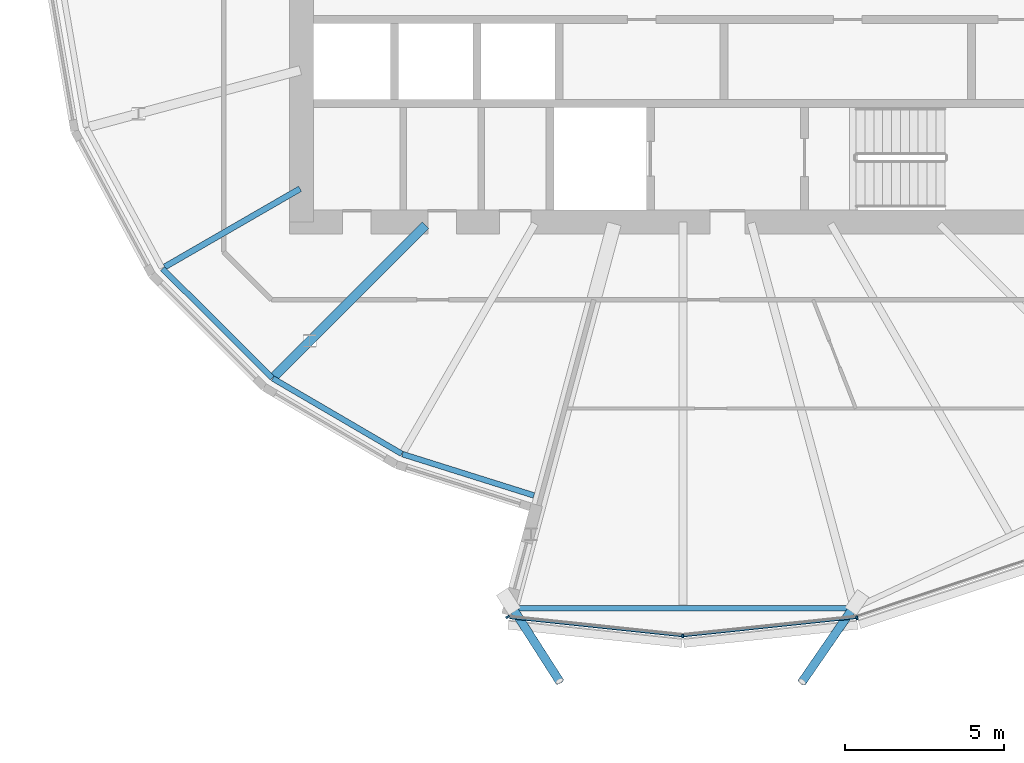
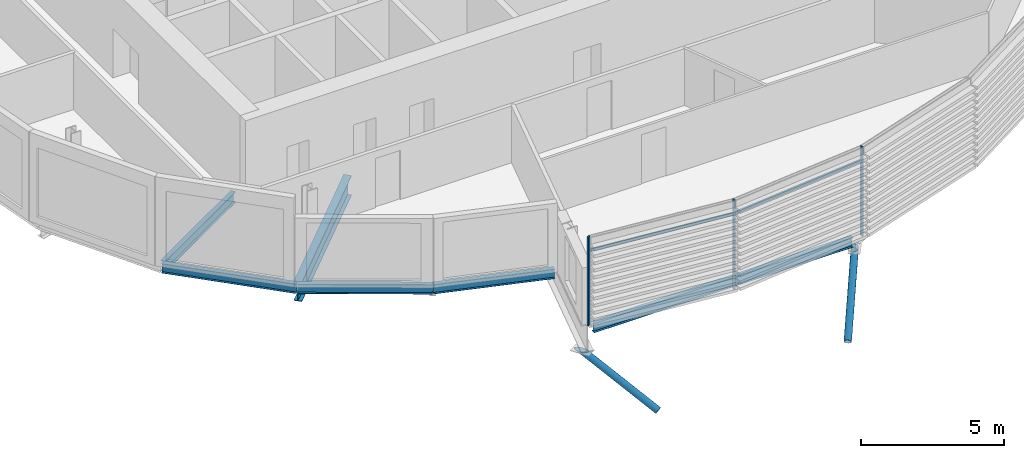
# One storey, part 3 of 39: 7 members, 6 beams, 1 element without a shape of its own.
"""IFC4 building model written with IfcOpenShell, lengths in metres."""

from ifc_helpers import new_model, si_unit, direction, frame, origin, origin_2d, place, context, subcontext, project, spatial, rectangle, hollow_circle, i_section, extrude, clip, halfspace, material, material_profile, profile_set, type_object, element, aggregate, save


model = new_model("IFC4")

# Units and contexts
model_context = context("Model", 3, precision=1e-05, world=origin(), true_north=direction((0.0, 1.0)))
body_context = subcontext(model_context, "Body", "Model", "MODEL_VIEW")
ifc_project = project(units=[si_unit("LENGTHUNIT", "METRE"), si_unit("AREAUNIT", "SQUARE_METRE"), si_unit("VOLUMEUNIT", "CUBIC_METRE"), si_unit("PLANEANGLEUNIT", "RADIAN"), si_unit("MASSUNIT", "GRAM", prefix="KILO")], contexts=[model_context])

# Site, building, storey
site_placement = place(None, origin())
site = spatial("IfcSite", under=ifc_project, at=site_placement, CompositionType="ELEMENT")
building_placement = place(site_placement, origin())
building = spatial("IfcBuilding", under=site, at=building_placement, Name="Rimbun Link Towers", CompositionType="ELEMENT")
storey_placement = place(building_placement, frame((0.0, 0.0, 100.60009765625)))
storey = spatial("IfcBuildingStorey", under=building, at=storey_placement, Name="L24", CompositionType="ELEMENT", Elevation=100.60009765625)

# Curtain wall, members
ifc_material_1 = material(Name="Aluminium 6063-T6 and low-iron glass", Category="aluminium")
curtain_wall_type = type_object("IfcCurtainWallType", Name="CW1-Z2 unitised vision wall (zone 2)", PredefinedType="NOTDEFINED", material=ifc_material_1)
curtain_wall_placement = place(storey_placement, origin())
curtain_wall = element("IfcCurtainWall", 1, at=curtain_wall_placement, inside=storey, type_object=curtain_wall_type, Name="CW1 L24 T1", PredefinedType="NOTDEFINED")
ifc_material_2 = material(Name="Aluminium 6063-T6", Category="aluminium")
ifc_material_profile_1 = material_profile(ifc_material_2, rectangle(XDim=0.1201171875, YDim=0.06005859375, at=origin_2d()), Name="MULLION 60X120")
ifc_profile_set_1 = profile_set([ifc_material_profile_1], Name="Aluminium 6063-T6")
member_type_1 = type_object("IfcMemberType", Name="CW1 mullion 60X120", PredefinedType="MULLION", material=ifc_profile_set_1)
member_1_placement = place(storey_placement, frame((-31.75, -21.037109375, 0.0), z_axis=(0.0, 0.0, 1.0), x_axis=(0.0, -1.0, 0.0)))
member_1 = element("IfcMember", 2, at=member_1_placement, type_object=member_type_1, Name="CW1 mullion", PredefinedType="MULLION", context=body_context, shape_type="SweptSolid", body=[
    extrude(rectangle(XDim=0.1201171875, YDim=0.06005859375, at=origin_2d()), origin(), (0.0, 0.0, 1.0), 3.7998046875),
])
member_2_placement = place(storey_placement, frame((-37.265869140625, -20.435302734375, 0.0), z_axis=(0.0, 0.0, 1.0), x_axis=(-0.824181973738, -0.566325060514, 0.0)))
member_2 = element("IfcMember", 3, at=member_2_placement, type_object=member_type_1, Name="CW1 mullion", PredefinedType="MULLION", context=body_context, shape_type="SweptSolid", body=[
    extrude(rectangle(XDim=0.1201171875, YDim=0.06005859375, at=origin_2d()), origin(), (0.0, 0.0, 1.0), 3.7998046875),
])
member_3_placement = place(storey_placement, frame((-26.270751953125, -20.4599609375, 0.0), z_axis=(0.0, 0.0, 1.0), x_axis=(0.210863294112, -0.97751556059, 0.0)))
member_3 = element("IfcMember", 4, at=member_3_placement, type_object=member_type_1, Name="CW1 mullion", PredefinedType="MULLION", context=body_context, shape_type="SweptSolid", body=[
    extrude(rectangle(XDim=0.1201171875, YDim=0.06005859375, at=origin_2d()), origin(), (0.0, 0.0, 1.0), 3.7998046875),
])
ifc_material_3 = material(Name="Aluminium 6063-T6", Category="aluminium")
ifc_material_profile_2 = material_profile(ifc_material_3, rectangle(XDim=0.06005859375, YDim=0.1201171875, at=origin_2d()), Name="TRANSOM 60X120")
ifc_profile_set_2 = profile_set([ifc_material_profile_2], Name="Aluminium 6063-T6")
member_type_2 = type_object("IfcMemberType", Name="CW1 transom 60X120", PredefinedType="USERDEFINED", material=ifc_profile_set_2)
member_4_placement = place(storey_placement, frame((-31.785888671875, -21.031494140625, 3.199951171875), z_axis=(-0.994501515201, 0.104722186104, 0.0), x_axis=(-0.104722186104, -0.994501515201, 0.0)))
member_4 = element("IfcMember", 5, at=member_4_placement, type_object=member_type_2, Name="CW1 transom", ObjectType="TRANSOM", PredefinedType="USERDEFINED", context=body_context, shape_type="SweptSolid", body=[
    extrude(rectangle(XDim=0.06005859375, YDim=0.1201171875, at=origin_2d()), origin(), (0.0, 0.0, 1.0), 5.4365234375),
])
member_5_placement = place(storey_placement, frame((-26.307373046875, -20.462158203125, 3.199951171875), z_axis=(-0.994501515201, -0.104722186104, 0.0), x_axis=(0.104722186104, -0.994501515201, 0.0)))
member_5 = element("IfcMember", 6, at=member_5_placement, type_object=member_type_2, Name="CW1 transom", ObjectType="TRANSOM", PredefinedType="USERDEFINED", context=body_context, shape_type="SweptSolid", body=[
    extrude(rectangle(XDim=0.06005859375, YDim=0.1201171875, at=origin_2d()), origin(), (0.0, 0.0, 1.0), 5.4365234375),
])
aggregate(curtain_wall, [member_1, member_2, member_3, member_4, member_5])

# Members
ifc_material_4 = material(Name="Steel S355J2H", Category="steel")
ifc_material_profile_3 = material_profile(ifc_material_4, hollow_circle(Radius=0.136474609375, WallThickness=0.012451171875, at=origin_2d()), Name="CHS 273x12.5")
ifc_profile_set_3 = profile_set([ifc_material_profile_3], Name="Steel S355J2H")
member_type_3 = type_object("IfcMemberType", Name="Floor edge link CHS 273x12.5", PredefinedType="BRACE", material=ifc_profile_set_3)
member_6_placement = place(storey_placement, frame((-37.13818359375, -20.1083984375, -1.48046875), z_axis=(0.475718063315, -0.742655592374, -0.471333210532), x_axis=(0.842055898223, 0.539390270832, 0.0)))
element("IfcMember", 7, at=member_6_placement, inside=storey, type_object=member_type_3, Name="Floor edge link T1 L24 17", PredefinedType="BRACE", context=body_context, shape_type="Clipping", body=[
    clip(extrude(hollow_circle(Radius=0.136474609375, WallThickness=0.012451171875, at=origin_2d()), frame((0.0, 0.0, -0.531982421875)), (0.0, 0.0, 1.0), 3.705810546875), halfspace(frame((0.0, 0.0, -0.251220703125), z_axis=(0.0, 0.881955216918, -0.471333210532)), False)),
])
member_7_placement = place(storey_placement, frame((-26.36181640625, -20.1083984375, -0.960693359375), z_axis=(-0.486492662099, -0.705479534708, -0.515386763346), x_axis=(0.823237298778, -0.56769741051, 0.0)))
element("IfcMember", 8, at=member_7_placement, inside=storey, type_object=member_type_3, Name="Floor edge link T1 L24 19", PredefinedType="BRACE", context=body_context, shape_type="Clipping", body=[
    clip(extrude(hollow_circle(Radius=0.136474609375, WallThickness=0.012451171875, at=origin_2d()), frame((0.0, 0.0, -0.473388671875)), (0.0, 0.0, 1.0), 3.8447265625), halfspace(frame((0.0, 0.0, -0.223388671875), z_axis=(0.0, 0.856957691002, -0.515386763346)), False)),
])

# Beams
ifc_material_5 = material(Name="Steel S355J2", Category="steel")
ifc_material_profile_4 = material_profile(ifc_material_5, i_section(OverallWidth=0.177978515625, OverallDepth=0.406494140625, WebThickness=0.0078125, FlangeThickness=0.0126953125, at=origin_2d()), Name="UB 406x178x60")
ifc_profile_set_4 = profile_set([ifc_material_profile_4], Name="Steel S355J2")
beam_type_1 = type_object("IfcBeamType", Name="UB 406x178x60", PredefinedType="BEAM", material=ifc_profile_set_4)
beam_1_placement = place(storey_placement, frame((-48.127197265625, -9.470947265625, -0.36328125), z_axis=(0.708083429318, -0.706128782252, 0.0), x_axis=(0.706128782252, 0.708083429318, 0.0)))
element("IfcBeam", 9, at=beam_1_placement, inside=storey, type_object=beam_type_1, Name="Edge beam T1 L24 14 recess", PredefinedType="BEAM", context=body_context, shape_type="SweptSolid", body=[
    extrude(i_section(OverallWidth=0.177978515625, OverallDepth=0.406494140625, WebThickness=0.0078125, FlangeThickness=0.0126953125, at=origin_2d()), origin(), (0.0, 0.0, 1.0), 4.87109375),
])
beam_2_placement = place(storey_placement, frame((-44.65869140625, -12.925537109375, -0.36328125), z_axis=(0.86328357822, -0.504719192795, 0.0), x_axis=(0.504719192795, 0.86328357822, 0.0)))
element("IfcBeam", 10, at=beam_2_placement, inside=storey, type_object=beam_type_1, Name="Edge beam T1 L24 15 recess", PredefinedType="BEAM", context=body_context, shape_type="SweptSolid", body=[
    extrude(i_section(OverallWidth=0.177978515625, OverallDepth=0.406494140625, WebThickness=0.0078125, FlangeThickness=0.0126953125, at=origin_2d()), origin(), (0.0, 0.0, 1.0), 4.70556640625),
])
beam_3_placement = place(storey_placement, frame((-40.576416015625, -15.309326171875, -0.36328125), z_axis=(0.953953688529, -0.299953930031, 0.0), x_axis=(0.299953930031, 0.953953688529, 0.0)))
element("IfcBeam", 11, at=beam_3_placement, inside=storey, type_object=beam_type_1, Name="Edge beam T1 L24 16 recess", PredefinedType="BEAM", context=body_context, shape_type="SweptSolid", body=[
    extrude(i_section(OverallWidth=0.177978515625, OverallDepth=0.406494140625, WebThickness=0.0078125, FlangeThickness=0.0126953125, at=origin_2d()), origin(), (0.0, 0.0, 1.0), 4.33740234375),
])
beam_4_placement = place(storey_placement, frame((-36.9169921875, -20.15673828125, -0.36328125), z_axis=(1.0, 0.0, 0.0), x_axis=(0.0, 1.0, 0.0)))
element("IfcBeam", 12, at=beam_4_placement, inside=storey, type_object=beam_type_1, Name="Edge beam T1 L24 17-19", PredefinedType="BEAM", context=body_context, shape_type="SweptSolid", body=[
    extrude(i_section(OverallWidth=0.177978515625, OverallDepth=0.406494140625, WebThickness=0.0078125, FlangeThickness=0.0126953125, at=origin_2d()), origin(), (0.0, 0.0, 1.0), 10.435791015625),
])
ifc_material_6 = material(Name="Steel S355J2", Category="steel")
ifc_material_profile_5 = material_profile(ifc_material_6, i_section(OverallWidth=0.18994140625, OverallDepth=0.453369140625, WebThickness=0.008544921875, FlangeThickness=0.0126953125, at=origin_2d()), Name="UB 457x191x67")
ifc_profile_set_5 = profile_set([ifc_material_profile_5], Name="Steel S355J2")
beam_type_2 = type_object("IfcBeamType", Name="UB 457x191x67", PredefinedType="BEAM", material=ifc_profile_set_5)
beam_5_placement = place(storey_placement, frame((-43.79833984375, -6.9560546875, -0.38671875), z_axis=(-0.866020293397, -0.500008851346, 0.0), x_axis=(0.500008851346, -0.866020293397, 0.0)))
element("IfcBeam", 13, at=beam_5_placement, inside=storey, type_object=beam_type_2, Name="Radial beam T1 L24 14", PredefinedType="BEAM", context=body_context, shape_type="SweptSolid", body=[
    extrude(i_section(OverallWidth=0.18994140625, OverallDepth=0.453369140625, WebThickness=0.008544921875, FlangeThickness=0.0126953125, at=origin_2d()), origin(), (0.0, 0.0, 1.0), 4.91943359375),
])
ifc_material_7 = material(Name="Steel S355J2", Category="steel")
ifc_material_profile_6 = material_profile(ifc_material_7, i_section(OverallWidth=0.29248046875, OverallDepth=0.8408203125, WebThickness=0.0126953125, FlangeThickness=0.021728515625, at=origin_2d()), Name="UB 838x292x194")
ifc_profile_set_6 = profile_set([ifc_material_profile_6], Name="Steel S355J2")
beam_type_3 = type_object("IfcBeamType", Name="UB 838x292x194", PredefinedType="BEAM", material=ifc_profile_set_6)
beam_6_placement = place(storey_placement, frame((-39.85400390625, -8.10400390625, -0.58056640625), z_axis=(-0.707106781187, -0.707106781187, 0.0), x_axis=(0.707106781187, -0.707106781187, 0.0)))
element("IfcBeam", 14, at=beam_6_placement, inside=storey, type_object=beam_type_3, Name="Radial beam T1 L24 15", PredefinedType="BEAM", context=body_context, shape_type="SweptSolid", body=[
    extrude(i_section(OverallWidth=0.29248046875, OverallDepth=0.8408203125, WebThickness=0.0126953125, FlangeThickness=0.021728515625, at=origin_2d()), origin(), (0.0, 0.0, 1.0), 6.71923828125),
])

save(model, "model.ifc")
